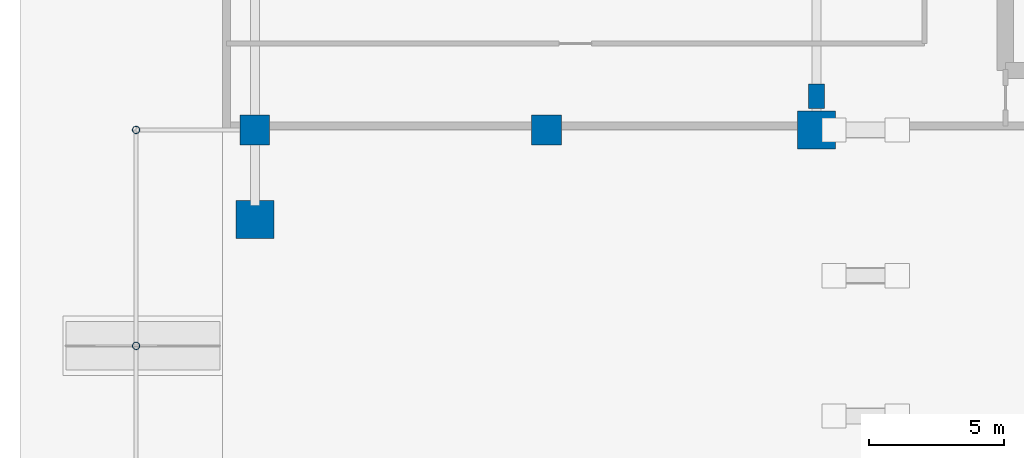
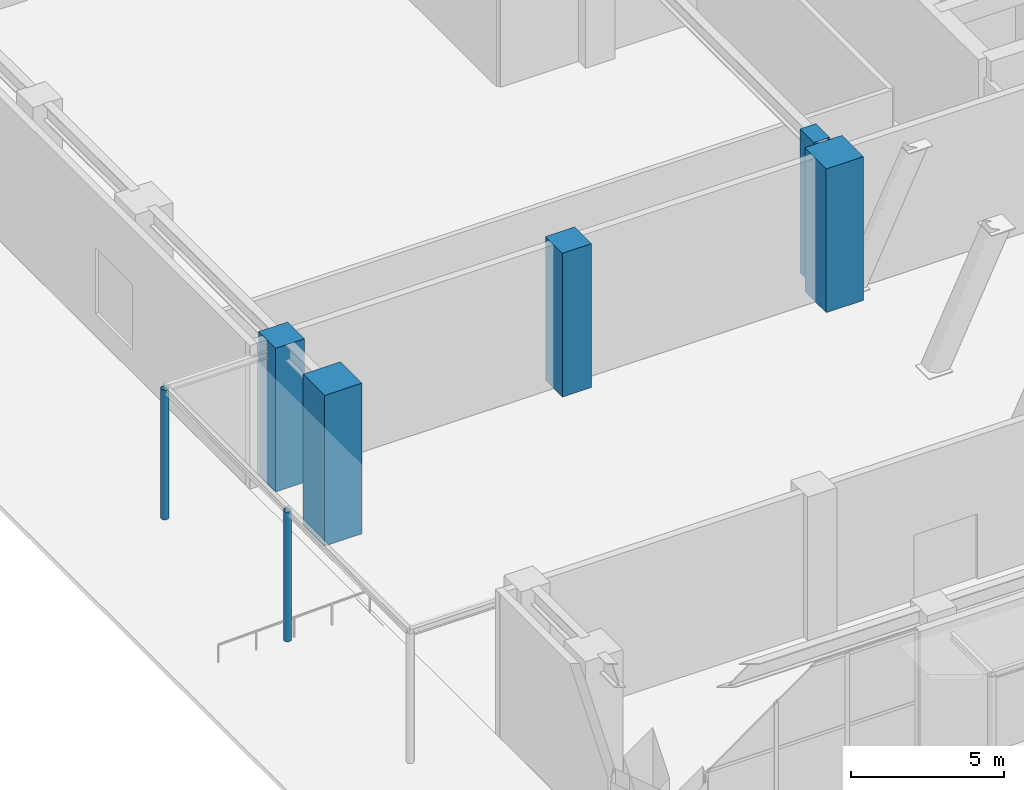
# One storey, part 3 of 49: 7 columns.
"""IFC4 building model written with IfcOpenShell, lengths in metres."""

import ifcopenshell
import ifcopenshell.guid

model = None  # the IFC model being written
_history = None  # IfcOwnerHistory: only IFC2X3 demands one
_inside = {}  # id of a spatial element -> (the spatial element, [elements in it])
_under = {}  # id of a project, library or spatial element -> (it, [spatial elements below it])
_declared = {}  # id of a project -> (the project, [libraries it declares])
_typed = {}  # id of a type object -> (the type object, [elements of that type])
_made_of = {}  # id of a material, layer set ... -> (it, [elements and type objects made of it])


def new_model(schema):
    """Start an empty IFC model of exactly this schema.

    Asked for "IFC4X3", IfcOpenShell would pick the latest addendum, in which some entities
    have other attributes; the version numbers below select the first issue.
    IFC2X3 requires an IfcOwnerHistory on every rooted entity: one is made here for all.
    """
    global model, _history
    if schema == "IFC4X3":
        model = ifcopenshell.file(schema_version=(4, 3, 0, 0))
    else:
        model = ifcopenshell.file(schema=schema)
    _inside.clear()
    _under.clear()
    _declared.clear()
    _typed.clear()
    _made_of.clear()
    _history = None
    if model.schema == "IFC2X3":
        org = make("IfcOrganization", Name="unknown")
        user = make(
            "IfcPersonAndOrganization",
            ThePerson=make("IfcPerson", FamilyName="unknown"),
            TheOrganization=org,
        )
        app = make(
            "IfcApplication",
            ApplicationDeveloper=org,
            Version="unknown",
            ApplicationFullName="unknown",
            ApplicationIdentifier="unknown",
        )
        _history = make(
            "IfcOwnerHistory",
            OwningUser=user,
            OwningApplication=app,
            ChangeAction="ADDED",
            CreationDate=0,
        )
    return model


def make(cls, **values):
    """One entity of the class cls with the attributes given. An attribute that is None is left unset."""
    return model.create_entity(
        cls, **{name: value for name, value in values.items() if value is not None}
    )


def rooted(cls, **values):
    """An entity with a GlobalId (a new one), such as an element, a storey or a relation."""
    return make(cls, GlobalId=ifcopenshell.guid.new(), OwnerHistory=_history, **values)


def si_unit(unit_type, name, prefix=None):
    """IfcSIUnit, for example si_unit("LENGTHUNIT", "METRE", prefix="MILLI")."""
    return make("IfcSIUnit", UnitType=unit_type, Prefix=prefix, Name=name)


def assignment(units):
    """IfcUnitAssignment: the units of a project."""
    return None if units is None else make("IfcUnitAssignment", Units=units)


def point(xyz):
    """IfcCartesianPoint."""
    return None if xyz is None else make("IfcCartesianPoint", Coordinates=xyz)


def direction(xyz):
    """IfcDirection."""
    return None if xyz is None else make("IfcDirection", DirectionRatios=xyz)


def frame(location, z_axis=None, x_axis=None):
    """IfcAxis2Placement3D, a coordinate frame: its origin and axes. An axis left out is left unset."""
    return make(
        "IfcAxis2Placement3D",
        Location=point(location),
        Axis=direction(z_axis),
        RefDirection=direction(x_axis),
    )


def frame_2d(location, x_axis=None):
    """IfcAxis2Placement2D, a coordinate frame in the plane: its origin and x axis."""
    return make(
        "IfcAxis2Placement2D", Location=point(location), RefDirection=direction(x_axis)
    )


def origin():
    """The frame at (0, 0, 0) with its axes left unset."""
    return frame((0.0, 0.0, 0.0))


def origin_2d():
    """The frame at (0, 0) in the plane with its x axis left unset."""
    return frame_2d((0.0, 0.0))


def place(relative_to, where):
    """IfcLocalPlacement: puts the frame where relative to a parent placement (None: the world)."""
    return make(
        "IfcLocalPlacement", PlacementRelTo=relative_to, RelativePlacement=where
    )


def context(
    kind, dimensions, precision=None, world=None, true_north=None, identifier=None
):
    """IfcGeometricRepresentationContext, for example the 3D "Model" context."""
    return make(
        "IfcGeometricRepresentationContext",
        ContextIdentifier=identifier,
        ContextType=kind,
        CoordinateSpaceDimension=dimensions,
        Precision=precision,
        WorldCoordinateSystem=world,
        TrueNorth=true_north,
    )


def subcontext(parent, identifier, kind, view, scale=None):
    """IfcGeometricRepresentationSubContext, for example "Body" below "Model"."""
    return make(
        "IfcGeometricRepresentationSubContext",
        ContextIdentifier=identifier,
        ContextType=kind,
        ParentContext=parent,
        TargetScale=scale,
        TargetView=view,
    )


def project(units=None, contexts=None):
    """IfcProject with its units and contexts."""
    return rooted(
        "IfcProject",
        Name="project",
        RepresentationContexts=contexts,
        UnitsInContext=assignment(units),
    )


def spatial(cls, under=None, at=None, **own):
    """A site, building, storey or space (cls), placed at a placement, below another one or the project."""
    s = rooted(cls, ObjectPlacement=at, **own)
    if under is not None:
        _under.setdefault(under.id(), (under, []))[1].append(s)
    return s


def profile(cls, at=None, kind="AREA", **sizes):
    """A parametric profile (cls). Its sizes go by their IFC names, for example OverallWidth=200.0."""
    return make(cls, ProfileType=kind, Position=at, **sizes)


def rectangle(**sizes):
    """IfcRectangleProfileDef."""
    return profile("IfcRectangleProfileDef", **sizes)


def hollow_circle(**sizes):
    """IfcCircleHollowProfileDef."""
    return profile("IfcCircleHollowProfileDef", **sizes)


def extrude(swept, where, along, depth):
    """IfcExtrudedAreaSolid: the profile swept, set in the frame where, extruded along a direction by depth."""
    return make(
        "IfcExtrudedAreaSolid",
        SweptArea=swept,
        Position=where,
        ExtrudedDirection=direction(along),
        Depth=depth,
    )


def shape(context_of_items, identifier, shape_type, items):
    """IfcShapeRepresentation: the items that make up one representation, for example the "Body"."""
    return make(
        "IfcShapeRepresentation",
        ContextOfItems=context_of_items,
        RepresentationIdentifier=identifier,
        RepresentationType=shape_type,
        Items=items,
    )


def material(Name=None, Category=None):
    """IfcMaterial."""
    return make("IfcMaterial", Name=Name, Category=Category)


def material_profile(
    of_material, cross_section, Name=None, Category=None, Priority=None
):
    """IfcMaterialProfile: a cross section and its material."""
    return make(
        "IfcMaterialProfile",
        Name=Name,
        Material=of_material,
        Profile=cross_section,
        Priority=Priority,
        Category=Category,
    )


def profile_set(profiles, Name=None, composite=None):
    """IfcMaterialProfileSet."""
    return make(
        "IfcMaterialProfileSet",
        Name=Name,
        MaterialProfiles=profiles,
        CompositeProfile=composite,
    )


def made_of(thing, what):
    """Note that an element or type object is made of a material, layer set ...; save() writes the relation."""
    if what is not None:
        _made_of.setdefault(what.id(), (what, []))[1].append(thing)
    return thing


def type_object(cls, material=None, **own):
    """A type object (cls), such as IfcWallType, which elements share."""
    return made_of(rooted(cls, **own), material)


def element(
    cls,
    number,
    at=None,
    inside=None,
    cuts=None,
    type_object=None,
    material=None,
    context=None,
    identifier="Body",
    shape_type=None,
    held_by="IfcProductDefinitionShape",
    body=None,
    shapes=None,
    **own,
):
    """One element of the class cls, such as IfcWall. Its Tag is "e" and its number.

    at: its placement. inside: the storey or other place that contains it. cuts: it is an
    opening in that element (IfcRelVoidsElement). A single representation is given by context,
    identifier, shape_type and body (its items); several are given by shapes. held_by: the class
    of the entity that holds the representations. save() writes the other relations.
    """
    e = rooted(cls, Tag="e%d" % number, ObjectPlacement=at, **own)
    if body is not None:
        shapes = [shape(context, identifier, shape_type, body)]
    if shapes is not None:
        e.Representation = make(held_by, Representations=shapes)
    if inside is not None:
        _inside.setdefault(inside.id(), (inside, []))[1].append(e)
    if cuts is not None:
        rooted(
            "IfcRelVoidsElement", RelatingBuildingElement=cuts, RelatedOpeningElement=e
        )
    if type_object is not None:
        _typed.setdefault(type_object.id(), (type_object, []))[1].append(e)
    return made_of(e, material)


def aggregate(whole, parts):
    """IfcRelAggregates: a whole, such as a stair, and the parts it consists of."""
    return rooted("IfcRelAggregates", RelatingObject=whole, RelatedObjects=parts)


def save(model, path):
    """Write the relations noted so far, then the file.

    IfcRelAggregates (storeys below a building ...), IfcRelContainedInSpatialStructure (elements
    in a storey), IfcRelDefinesByType, IfcRelAssociatesMaterial and IfcRelDeclares: one each for
    every whole, place, type object, material and project.
    """
    for whole, parts in _under.values():
        aggregate(whole, parts)
    for where, things in _inside.values():
        rooted(
            "IfcRelContainedInSpatialStructure",
            RelatedElements=things,
            RelatingStructure=where,
        )
    for kind, things in _typed.values():
        rooted("IfcRelDefinesByType", RelatedObjects=things, RelatingType=kind)
    for what, things in _made_of.values():
        rooted("IfcRelAssociatesMaterial", RelatedObjects=things, RelatingMaterial=what)
    for by, libraries in _declared.values():
        rooted("IfcRelDeclares", RelatingContext=by, RelatedDefinitions=libraries)
    model.write(path)


model = new_model("IFC4")

# Units and contexts
model_context = context("Model", 3, precision=1e-05, world=origin(), true_north=direction((0.0, 1.0)))
body_context = subcontext(model_context, "Body", "Model", "MODEL_VIEW")
ifc_project = project(units=[si_unit("LENGTHUNIT", "METRE"), si_unit("AREAUNIT", "SQUARE_METRE"), si_unit("VOLUMEUNIT", "CUBIC_METRE"), si_unit("PLANEANGLEUNIT", "RADIAN"), si_unit("MASSUNIT", "GRAM", prefix="KILO")], contexts=[model_context])

# Site, building, storey
site_placement = place(None, origin())
site = spatial("IfcSite", under=ifc_project, at=site_placement, CompositionType="ELEMENT")
building_placement = place(site_placement, origin())
building = spatial("IfcBuilding", under=site, at=building_placement, Name="Sarneth Arch Tower", CompositionType="ELEMENT")
storey_placement = place(building_placement, origin())
storey = spatial("IfcBuildingStorey", under=building, at=storey_placement, Name="L00", CompositionType="ELEMENT", Elevation=0.0)

# Columns
ifc_material_1 = material(Name="Steel S355", Category="steel")
ifc_material_profile_1 = material_profile(ifc_material_1, hollow_circle(Radius=0.136474609375, WallThickness=0.010009765625, at=origin_2d()), Name="CHS273x10")
ifc_profile_set_1 = profile_set([ifc_material_profile_1], Name="Steel S355")
column_type_1 = type_object("IfcColumnType", Name="COL-CANOPY-273", PredefinedType="COLUMN", material=ifc_profile_set_1)
for number, where, z_axis, x_axis, name in (
    (1, (4.800048828125, 33.0, 0.0), (0.0, 0.0, 1.0), (1.0, 0.0, 0.0), "Entrance canopy column ARCH-W.2"),
    (2, (4.800048828125, 25.0, 0.0), (0.0, 0.0, 1.0), (1.0, 0.0, 0.0), "Entrance canopy mid column ARCH-W"),
):
    element("IfcColumn", number, at=place(storey_placement, frame(where, z_axis=z_axis, x_axis=x_axis)), inside=storey, type_object=column_type_1, Name=name, PredefinedType="COLUMN", context=body_context, shape_type="SweptSolid", body=[
        extrude(hollow_circle(Radius=0.136474609375, WallThickness=0.010009765625, at=origin_2d()), origin(), (0.0, 0.0, 1.0), 5.159912109375),
    ])
ifc_material_2 = material(Name="Concrete C60/75", Category="concrete")
ifc_material_profile_2 = material_profile(ifc_material_2, rectangle(XDim=1.10009765625, YDim=1.10009765625, at=origin_2d()), Name="RC-1100x1100")
ifc_profile_set_2 = profile_set([ifc_material_profile_2], Name="Concrete C60/75")
column_type_2 = type_object("IfcColumnType", Name="COL-RC-1100", PredefinedType="COLUMN", material=ifc_profile_set_2)
for number, where, z_axis, x_axis, name in (
    (3, (9.199951171875, 33.0, 0.0), (0.0, 0.0, 1.0), (1.0, 0.0, 0.0), "L00 Podium column PW02"),
    (4, (20.0, 33.0, 0.0), (0.0, 0.0, 1.0), (1.0, 0.0, 0.0), "L00 Podium column AN-W1"),
):
    element("IfcColumn", number, at=place(storey_placement, frame(where, z_axis=z_axis, x_axis=x_axis)), inside=storey, type_object=column_type_2, Name=name, PredefinedType="COLUMN", context=body_context, shape_type="SweptSolid", body=[
        extrude(rectangle(XDim=1.10009765625, YDim=1.10009765625, at=origin_2d()), origin(), (0.0, 0.0, 1.0), 5.719970703125),
    ])
ifc_material_3 = material(Name="Concrete C60/75", Category="concrete")
ifc_material_profile_3 = material_profile(ifc_material_3, rectangle(XDim=1.39990234375, YDim=1.39990234375, at=origin_2d()), Name="RC-1400x1400")
ifc_profile_set_3 = profile_set([ifc_material_profile_3], Name="Concrete C60/75")
column_type_3 = type_object("IfcColumnType", Name="COL-RC-1400", PredefinedType="COLUMN", material=ifc_profile_set_3)
column_1_placement = place(storey_placement, frame((30.0, 33.0, 0.0), z_axis=(0.0, 0.0, 1.0), x_axis=(1.0, 0.0, 0.0)))
element("IfcColumn", 5, at=column_1_placement, inside=storey, type_object=column_type_3, Name="L00 Podium column AP-NW", PredefinedType="COLUMN", context=body_context, shape_type="SweptSolid", body=[
    extrude(rectangle(XDim=1.39990234375, YDim=1.39990234375, at=origin_2d()), origin(), (0.0, 0.0, 1.0), 5.719970703125),
])
column_2_placement = place(storey_placement, frame((9.199951171875, 29.68212890625, 0.0), z_axis=(0.0, 0.0, 1.0), x_axis=(1.0, 0.0, 0.0)))
element("IfcColumn", 6, at=column_2_placement, inside=storey, type_object=column_type_3, Name="L00 Podium column PX10", PredefinedType="COLUMN", context=body_context, shape_type="SweptSolid", body=[
    extrude(rectangle(XDim=1.39990234375, YDim=1.39990234375, at=origin_2d()), origin(), (0.0, 0.0, 1.0), 6.0),
])
ifc_material_4 = material(Name="Concrete C60/75", Category="concrete")
ifc_material_profile_4 = material_profile(ifc_material_4, rectangle(XDim=0.60009765625, YDim=0.89990234375, at=origin_2d()), Name="RC-600x900")
ifc_profile_set_4 = profile_set([ifc_material_profile_4], Name="Concrete C60/75")
column_type_4 = type_object("IfcColumnType", Name="PIL-RC-600x900", PredefinedType="PILASTER", material=ifc_profile_set_4)
column_3_placement = place(storey_placement, frame((30.0, 34.25, 0.0), z_axis=(0.0, 0.0, 1.0), x_axis=(1.0, 0.0, 0.0)))
element("IfcColumn", 7, at=column_3_placement, inside=storey, type_object=column_type_4, Name="L00 Arch pilaster PIL-NW", PredefinedType="PILASTER", context=body_context, shape_type="SweptSolid", body=[
    extrude(rectangle(XDim=0.60009765625, YDim=0.89990234375, at=origin_2d()), origin(), (0.0, 0.0, 1.0), 5.719970703125),
])

save(model, "model.ifc")
